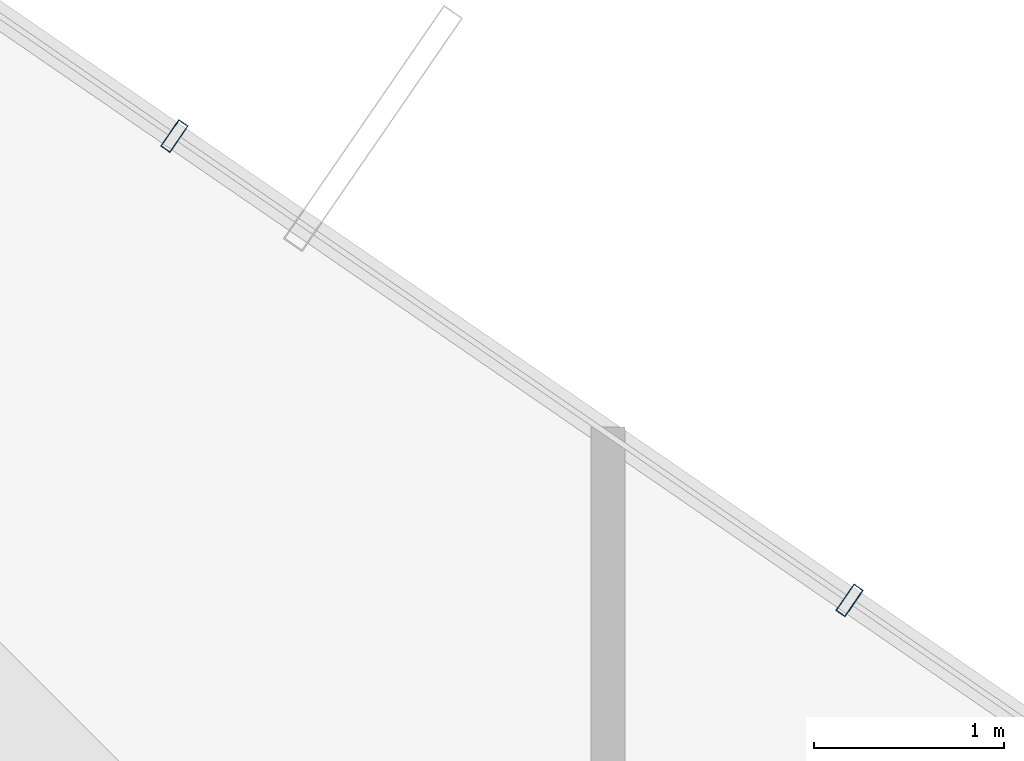
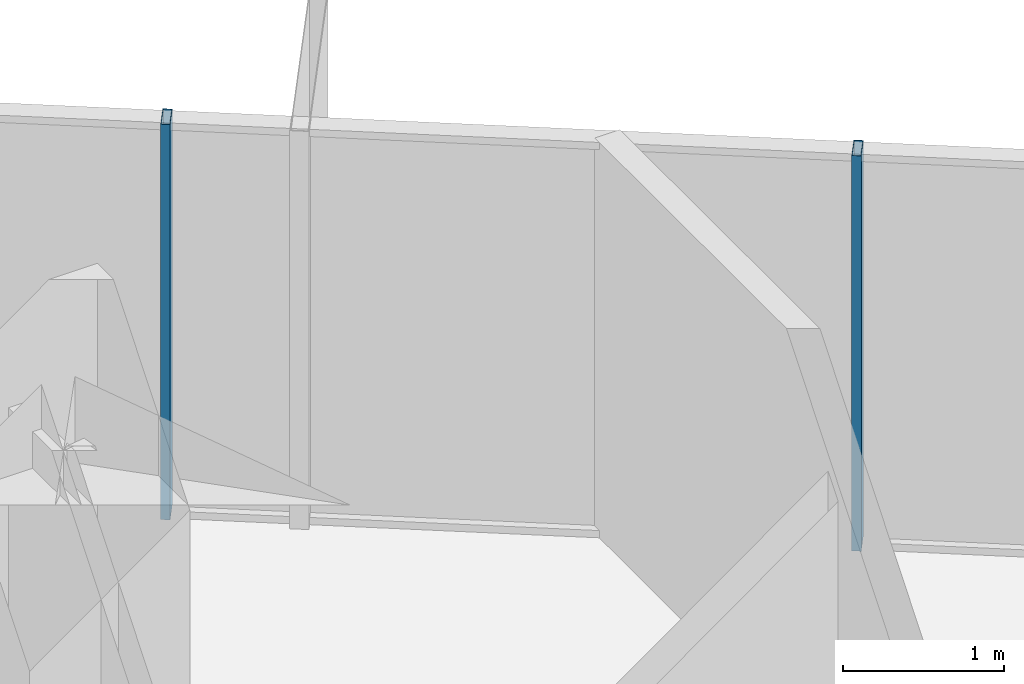
# One storey, part 21 of 30: 2 members, 1 element without a shape of its own.
"""IFC4 building model written with IfcOpenShell, lengths in metres."""

from ifc_helpers import new_model, si_unit, direction, frame, origin, origin_2d, place, context, subcontext, project, spatial, hollow_rectangle, extrude, source, transform, mapped, material, layer, layer_set, material_profile, profile_set, type_object, element, aggregate, save


model = new_model("IFC4")

# Units and contexts
model_context = context("Model", 3, precision=1e-05, world=origin(), true_north=direction((0.0, 1.0)))
body_context = subcontext(model_context, "Body", "Model", "MODEL_VIEW")
ifc_project = project(units=[si_unit("LENGTHUNIT", "METRE"), si_unit("AREAUNIT", "SQUARE_METRE"), si_unit("VOLUMEUNIT", "CUBIC_METRE"), si_unit("PLANEANGLEUNIT", "RADIAN"), si_unit("MASSUNIT", "GRAM", prefix="KILO")], contexts=[model_context])

# Site, building, storey
site_placement = place(None, origin())
site = spatial("IfcSite", under=ifc_project, at=site_placement, CompositionType="ELEMENT")
building_placement = place(site_placement, origin())
building = spatial("IfcBuilding", under=site, at=building_placement, Name="Veraguas Prism Commons", CompositionType="ELEMENT")
storey_placement = place(building_placement, frame((0.0, 0.0, 113.25)))
storey = spatial("IfcBuildingStorey", under=building, at=storey_placement, Name="L31", CompositionType="ELEMENT", Elevation=113.25)

# Curtain wall, members
ifc_material = material(Name="Anodised aluminium EN AW-6063 T6", Category="aluminium")
ifc_layer = layer(ifc_material, 0.169921875, Name="Unitised Flush Curtain Wall Zone 2", Category="aluminium")
ifc_layer_set = layer_set([ifc_layer], Name="Anodised aluminium EN AW-6063 T6")
curtain_wall_type = type_object("IfcCurtainWallType", Name="Unitised Flush Curtain Wall Zone 2", PredefinedType="NOTDEFINED", material=ifc_layer_set)
curtain_wall_placement = place(storey_placement, origin())
curtain_wall = element("IfcCurtainWall", 1, at=curtain_wall_placement, inside=storey, type_object=curtain_wall_type, Name="Tower Facade Curtain Wall L31-F1", PredefinedType="NOTDEFINED")
ifc_material_profile = material_profile(ifc_material, hollow_rectangle(XDim=0.06005859375, YDim=0.169921875, WallThickness=0.00390625, at=origin_2d()), Name="AL60X170X4")
ifc_profile_set = profile_set([ifc_material_profile], Name="Anodised aluminium EN AW-6063 T6")
member_type = type_object("IfcMemberType", Name="Curtain Wall Mullion Lower AL 60x170x4", PredefinedType="MULLION", material=ifc_profile_set)
shared_shape = source(origin(), body_context, "Body", "SweptSolid", [
    extrude(hollow_rectangle(XDim=0.06005859375, YDim=0.169921875, WallThickness=0.00390625, at=origin_2d()), origin(), (0.0, 0.0, 1.0), 3.0),
])
member_1_placement = place(storey_placement, frame((34.87060546875, 39.804931640625, 0.0), z_axis=(0.0, 0.0, 1.0), x_axis=(-0.823930403472, 0.566691000664, 0.0)))
member_1 = element("IfcMember", 2, at=member_1_placement, type_object=member_type, Name="CW-Z2 Mullion 3", PredefinedType="MULLION", context=body_context, shape_type="MappedRepresentation", body=[
    mapped(shared_shape, transform((0.0, 0.0, 0.0), scale=1.0)),
])
member_2_placement = place(storey_placement, frame((31.320556640625, 42.24658203125, 0.0), z_axis=(0.0, 0.0, 1.0), x_axis=(-0.823930403472, 0.566691000664, 0.0)))
member_2 = element("IfcMember", 3, at=member_2_placement, type_object=member_type, Name="CW-Z2 Mullion 4", PredefinedType="MULLION", context=body_context, shape_type="MappedRepresentation", body=[
    mapped(shared_shape, transform((0.0, 0.0, 0.0), scale=1.0)),
])
aggregate(curtain_wall, [member_1, member_2])

save(model, "model.ifc")
